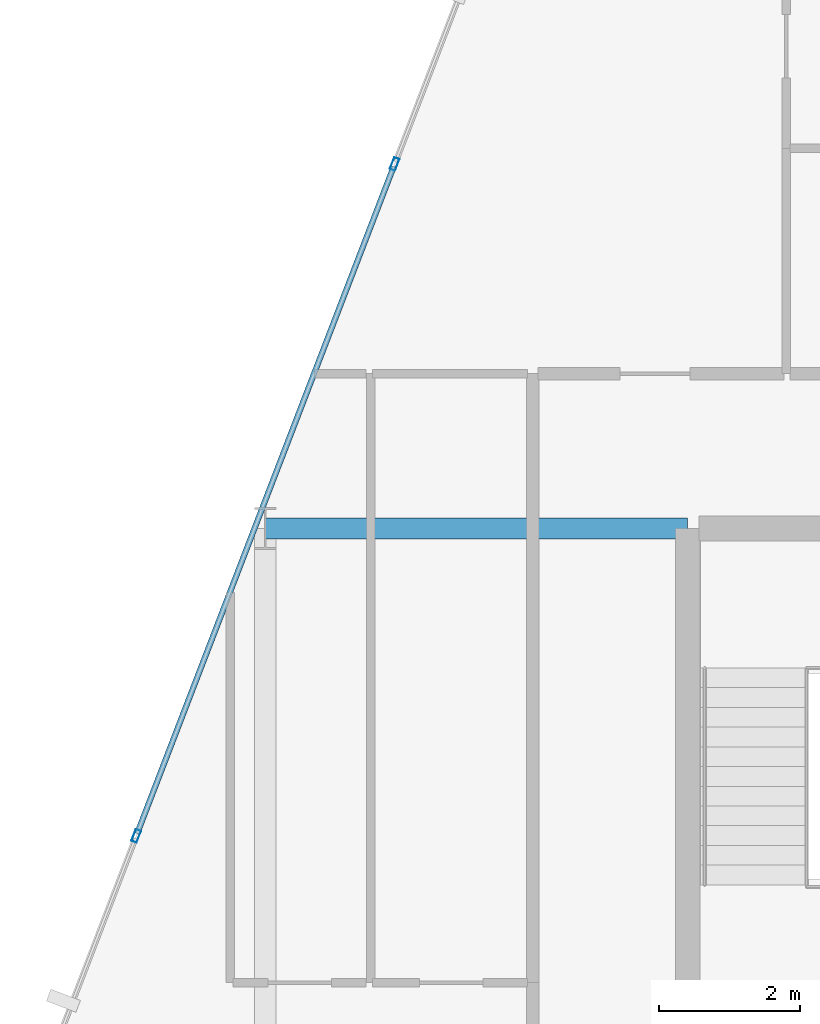
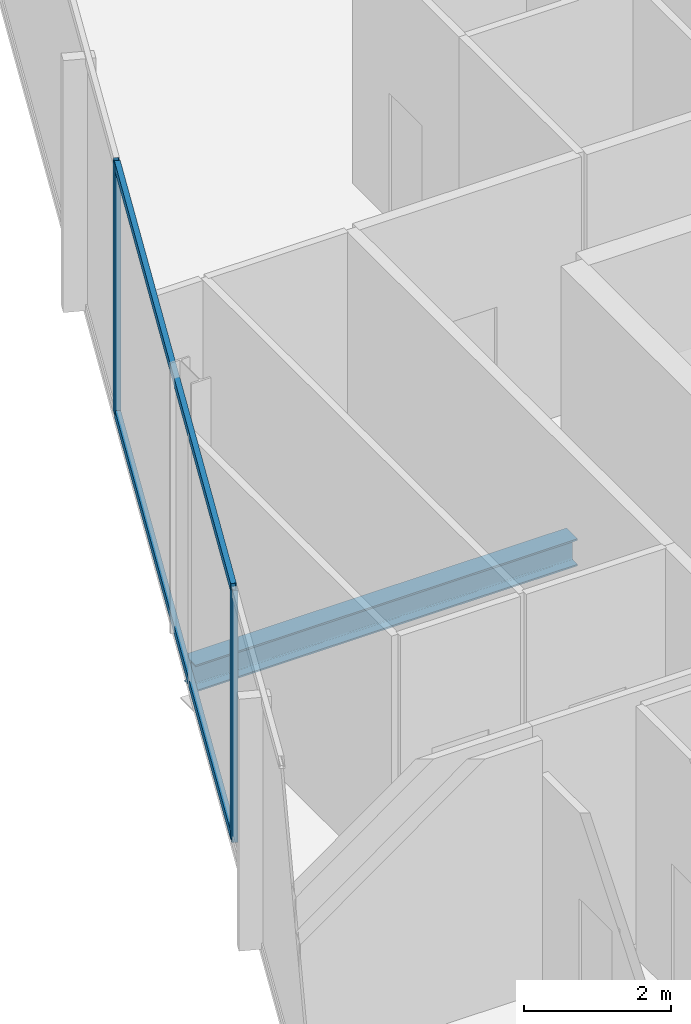
# One storey, part 12 of 30: 4 members, 1 beam, 1 element without a shape of its own.
"""IFC4 building model written with IfcOpenShell, lengths in metres."""

from ifc_helpers import new_model, si_unit, direction, frame, origin, origin_2d, place, context, subcontext, project, spatial, hollow_rectangle, i_section, extrude, material, layer, layer_set, material_profile, profile_set, type_object, element, aggregate, save


model = new_model("IFC4")

# Units and contexts
model_context = context("Model", 3, precision=1e-05, world=origin(), true_north=direction((0.0, 1.0)))
body_context = subcontext(model_context, "Body", "Model", "MODEL_VIEW")
ifc_project = project(units=[si_unit("LENGTHUNIT", "METRE"), si_unit("AREAUNIT", "SQUARE_METRE"), si_unit("VOLUMEUNIT", "CUBIC_METRE"), si_unit("PLANEANGLEUNIT", "RADIAN"), si_unit("MASSUNIT", "GRAM", prefix="KILO")], contexts=[model_context])

# Site, building, storey
site_placement = place(None, origin())
site = spatial("IfcSite", under=ifc_project, at=site_placement, CompositionType="ELEMENT")
building_placement = place(site_placement, origin())
building = spatial("IfcBuilding", under=site, at=building_placement, Name="Keshet Zoharim Tower", CompositionType="ELEMENT")
storey_placement = place(building_placement, frame((0.0, 0.0, 86.39990234375)))
storey = spatial("IfcBuildingStorey", under=building, at=storey_placement, Name="L20", CompositionType="ELEMENT", Elevation=86.39990234375)

# Beam
ifc_material_1 = material(Name="Steel S355", Category="steel")
ifc_material_profile_1 = material_profile(ifc_material_1, i_section(OverallWidth=0.300048828125, OverallDepth=0.449951171875, WebThickness=0.013916015625, FlangeThickness=0.02587890625, FilletRadius=0.027099609375, at=origin_2d()), Name="HEB450")
ifc_profile_set_1 = profile_set([ifc_material_profile_1], Name="Steel S355")
beam_type = type_object("IfcBeamType", Name="BM-WEB-HB450", PredefinedType="BEAM", material=ifc_profile_set_1)
beam_placement = place(storey_placement, frame((9.0, 37.89990234375, -0.539794921875), z_axis=(1.0, 0.0, 0.0), x_axis=(0.0, 1.0, 0.0)))
element("IfcBeam", 1, at=beam_placement, inside=storey, type_object=beam_type, Name="L20 Primary Girder X-018", PredefinedType="BEAM", context=body_context, shape_type="SweptSolid", body=[
    extrude(i_section(OverallWidth=0.300048828125, OverallDepth=0.449951171875, WebThickness=0.013916015625, FlangeThickness=0.02587890625, FilletRadius=0.027099609375, at=origin_2d()), origin(), (0.0, 0.0, 1.0), 6.0),
])

# Curtain wall, members
ifc_material_2 = material(Name="Aluminium 6063-T6", Category="aluminium")
ifc_layer = layer(ifc_material_2, 0.159912109375)
ifc_layer_set = layer_set([ifc_layer], Name="Aluminium 6063-T6")
curtain_wall_type = type_object("IfcCurtainWallType", Name="CW-SYS-03", PredefinedType="NOTDEFINED", material=ifc_layer_set)
curtain_wall_placement = place(storey_placement, origin())
curtain_wall = element("IfcCurtainWall", 2, at=curtain_wall_placement, inside=storey, type_object=curtain_wall_type, Name="L20 Unitised Curtain Wall 10", PredefinedType="NOTDEFINED")
ifc_material_profile_2 = material_profile(ifc_material_2, hollow_rectangle(XDim=0.080078125, YDim=0.179931640625, WallThickness=0.00439453125, at=origin_2d()), Name="MUL-80x180")
ifc_profile_set_2 = profile_set([ifc_material_profile_2], Name="Aluminium 6063-T6")
member_type_1 = type_object("IfcMemberType", Name="CWM-M18", PredefinedType="MULLION", material=ifc_profile_set_2)
member_1_placement = place(storey_placement, frame((7.1669921875, 33.53466796875, 0.0), z_axis=(0.0, 0.0, 1.0), x_axis=(-0.933341404361, 0.358990003907, 0.0)))
member_1 = element("IfcMember", 3, at=member_1_placement, type_object=member_type_1, Name="CW-03 mullion 2", PredefinedType="MULLION", context=body_context, shape_type="SweptSolid", body=[
    extrude(hollow_rectangle(XDim=0.080078125, YDim=0.179931640625, WallThickness=0.00439453125, at=origin_2d()), origin(), (0.0, 0.0, 1.0), 4.18505859375),
])
member_2_placement = place(storey_placement, frame((10.8369140625, 43.076416015625, 0.0), z_axis=(0.0, 0.0, 1.0), x_axis=(-0.933341404361, 0.358990003907, 0.0)))
member_2 = element("IfcMember", 4, at=member_2_placement, type_object=member_type_1, Name="CW-03 mullion 3", PredefinedType="MULLION", context=body_context, shape_type="SweptSolid", body=[
    extrude(hollow_rectangle(XDim=0.080078125, YDim=0.179931640625, WallThickness=0.00439453125, at=origin_2d()), origin(), (0.0, 0.0, 1.0), 4.18505859375),
])
ifc_material_profile_3 = material_profile(ifc_material_2, hollow_rectangle(XDim=0.080078125, YDim=0.139892578125, WallThickness=0.00390625, at=origin_2d()), Name="TRN-80x140")
ifc_profile_set_3 = profile_set([ifc_material_profile_3], Name="Aluminium 6063-T6")
member_type_2 = type_object("IfcMemberType", Name="CWT-T14", PredefinedType="USERDEFINED", material=ifc_profile_set_3)
member_3_placement = place(storey_placement, frame((7.179443359375, 33.5673828125, 0.03515625), z_axis=(0.359003248899, 0.933336309848, 0.0), x_axis=(-0.933336309848, 0.359003248899, 0.0)))
member_3 = element("IfcMember", 5, at=member_3_placement, type_object=member_type_2, Name="CW-03 transom 2.1", ObjectType="TRANSOM", PredefinedType="USERDEFINED", context=body_context, shape_type="SweptSolid", body=[
    extrude(hollow_rectangle(XDim=0.080078125, YDim=0.139892578125, WallThickness=0.00390625, at=origin_2d()), origin(), (0.0, 0.0, 1.0), 10.153076171875),
])
member_4_placement = place(storey_placement, frame((7.179443359375, 33.5673828125, 4.150146484375), z_axis=(0.359003248899, 0.933336309848, 0.0), x_axis=(-0.933336309848, 0.359003248899, 0.0)))
member_4 = element("IfcMember", 6, at=member_4_placement, type_object=member_type_2, Name="CW-03 transom 2.2", ObjectType="TRANSOM", PredefinedType="USERDEFINED", context=body_context, shape_type="SweptSolid", body=[
    extrude(hollow_rectangle(XDim=0.080078125, YDim=0.139892578125, WallThickness=0.00390625, at=origin_2d()), origin(), (0.0, 0.0, 1.0), 10.153076171875),
])
aggregate(curtain_wall, [member_1, member_2, member_3, member_4])

save(model, "model.ifc")
